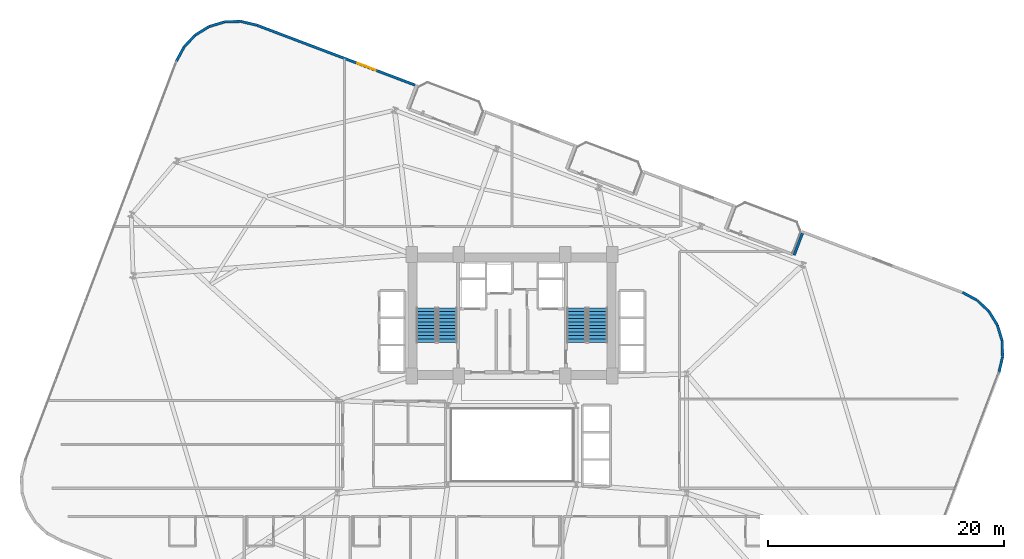
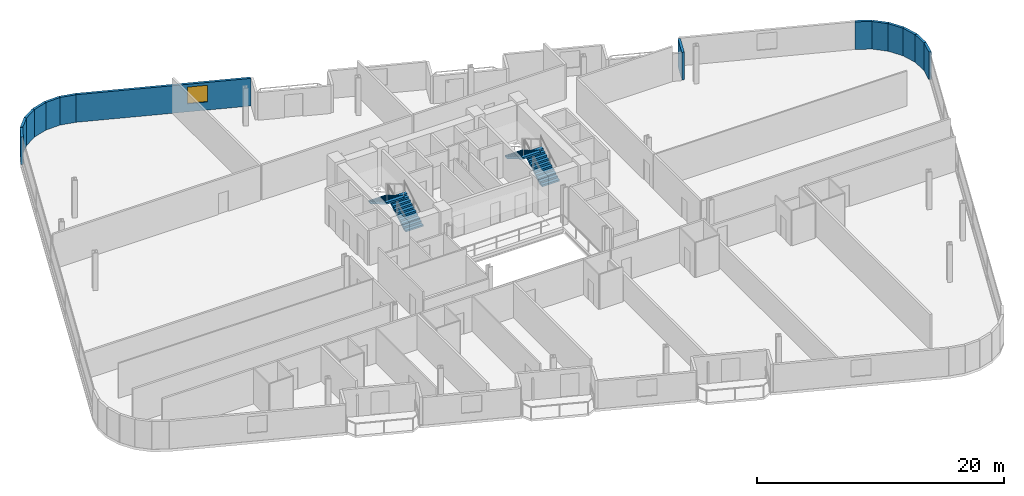
# One storey, part 21 of 25: 14 walls, 4 stair flights, 1 window, 1 opening, 2 elements without a shape of their own.
"""IFC4 building model written with IfcOpenShell, lengths in metres."""

import ifcopenshell
import ifcopenshell.guid

model = None  # the IFC model being written
_history = None  # IfcOwnerHistory: only IFC2X3 demands one
_inside = {}  # id of a spatial element -> (the spatial element, [elements in it])
_under = {}  # id of a project, library or spatial element -> (it, [spatial elements below it])
_declared = {}  # id of a project -> (the project, [libraries it declares])
_typed = {}  # id of a type object -> (the type object, [elements of that type])
_made_of = {}  # id of a material, layer set ... -> (it, [elements and type objects made of it])


def new_model(schema):
    """Start an empty IFC model of exactly this schema.

    Asked for "IFC4X3", IfcOpenShell would pick the latest addendum, in which some entities
    have other attributes; the version numbers below select the first issue.
    IFC2X3 requires an IfcOwnerHistory on every rooted entity: one is made here for all.
    """
    global model, _history
    if schema == "IFC4X3":
        model = ifcopenshell.file(schema_version=(4, 3, 0, 0))
    else:
        model = ifcopenshell.file(schema=schema)
    _inside.clear()
    _under.clear()
    _declared.clear()
    _typed.clear()
    _made_of.clear()
    _history = None
    if model.schema == "IFC2X3":
        org = make("IfcOrganization", Name="unknown")
        user = make(
            "IfcPersonAndOrganization",
            ThePerson=make("IfcPerson", FamilyName="unknown"),
            TheOrganization=org,
        )
        app = make(
            "IfcApplication",
            ApplicationDeveloper=org,
            Version="unknown",
            ApplicationFullName="unknown",
            ApplicationIdentifier="unknown",
        )
        _history = make(
            "IfcOwnerHistory",
            OwningUser=user,
            OwningApplication=app,
            ChangeAction="ADDED",
            CreationDate=0,
        )
    return model


def make(cls, **values):
    """One entity of the class cls with the attributes given. An attribute that is None is left unset."""
    return model.create_entity(
        cls, **{name: value for name, value in values.items() if value is not None}
    )


def rooted(cls, **values):
    """An entity with a GlobalId (a new one), such as an element, a storey or a relation."""
    return make(cls, GlobalId=ifcopenshell.guid.new(), OwnerHistory=_history, **values)


def si_unit(unit_type, name, prefix=None):
    """IfcSIUnit, for example si_unit("LENGTHUNIT", "METRE", prefix="MILLI")."""
    return make("IfcSIUnit", UnitType=unit_type, Prefix=prefix, Name=name)


def assignment(units):
    """IfcUnitAssignment: the units of a project."""
    return None if units is None else make("IfcUnitAssignment", Units=units)


def point(xyz):
    """IfcCartesianPoint."""
    return None if xyz is None else make("IfcCartesianPoint", Coordinates=xyz)


def direction(xyz):
    """IfcDirection."""
    return None if xyz is None else make("IfcDirection", DirectionRatios=xyz)


def frame(location, z_axis=None, x_axis=None):
    """IfcAxis2Placement3D, a coordinate frame: its origin and axes. An axis left out is left unset."""
    return make(
        "IfcAxis2Placement3D",
        Location=point(location),
        Axis=direction(z_axis),
        RefDirection=direction(x_axis),
    )


def frame_2d(location, x_axis=None):
    """IfcAxis2Placement2D, a coordinate frame in the plane: its origin and x axis."""
    return make(
        "IfcAxis2Placement2D", Location=point(location), RefDirection=direction(x_axis)
    )


def origin():
    """The frame at (0, 0, 0) with its axes left unset."""
    return frame((0.0, 0.0, 0.0))


def place(relative_to, where):
    """IfcLocalPlacement: puts the frame where relative to a parent placement (None: the world)."""
    return make(
        "IfcLocalPlacement", PlacementRelTo=relative_to, RelativePlacement=where
    )


def context(
    kind, dimensions, precision=None, world=None, true_north=None, identifier=None
):
    """IfcGeometricRepresentationContext, for example the 3D "Model" context."""
    return make(
        "IfcGeometricRepresentationContext",
        ContextIdentifier=identifier,
        ContextType=kind,
        CoordinateSpaceDimension=dimensions,
        Precision=precision,
        WorldCoordinateSystem=world,
        TrueNorth=true_north,
    )


def subcontext(parent, identifier, kind, view, scale=None):
    """IfcGeometricRepresentationSubContext, for example "Body" below "Model"."""
    return make(
        "IfcGeometricRepresentationSubContext",
        ContextIdentifier=identifier,
        ContextType=kind,
        ParentContext=parent,
        TargetScale=scale,
        TargetView=view,
    )


def project(units=None, contexts=None):
    """IfcProject with its units and contexts."""
    return rooted(
        "IfcProject",
        Name="project",
        RepresentationContexts=contexts,
        UnitsInContext=assignment(units),
    )


def spatial(cls, under=None, at=None, **own):
    """A site, building, storey or space (cls), placed at a placement, below another one or the project."""
    s = rooted(cls, ObjectPlacement=at, **own)
    if under is not None:
        _under.setdefault(under.id(), (under, []))[1].append(s)
    return s


def polyline(points):
    """IfcPolyline through the points."""
    return make("IfcPolyline", Points=[point(p) for p in points])


def profile(cls, at=None, kind="AREA", **sizes):
    """A parametric profile (cls). Its sizes go by their IFC names, for example OverallWidth=200.0."""
    return make(cls, ProfileType=kind, Position=at, **sizes)


def rectangle(**sizes):
    """IfcRectangleProfileDef."""
    return profile("IfcRectangleProfileDef", **sizes)


def outline(outer, holes=None, kind="AREA"):
    """IfcArbitraryClosedProfileDef: a profile drawn as a closed curve; with holes, ...WithVoids."""
    if holes is None:
        return make("IfcArbitraryClosedProfileDef", ProfileType=kind, OuterCurve=outer)
    return make(
        "IfcArbitraryProfileDefWithVoids",
        ProfileType=kind,
        OuterCurve=outer,
        InnerCurves=holes,
    )


def extrude(swept, where, along, depth):
    """IfcExtrudedAreaSolid: the profile swept, set in the frame where, extruded along a direction by depth."""
    return make(
        "IfcExtrudedAreaSolid",
        SweptArea=swept,
        Position=where,
        ExtrudedDirection=direction(along),
        Depth=depth,
    )


def shape(context_of_items, identifier, shape_type, items):
    """IfcShapeRepresentation: the items that make up one representation, for example the "Body"."""
    return make(
        "IfcShapeRepresentation",
        ContextOfItems=context_of_items,
        RepresentationIdentifier=identifier,
        RepresentationType=shape_type,
        Items=items,
    )


def material(Name=None, Category=None):
    """IfcMaterial."""
    return make("IfcMaterial", Name=Name, Category=Category)


def layer(
    of_material, thickness, ventilated=None, Name=None, Category=None, Priority=None
):
    """IfcMaterialLayer: one layer of a wall or slab, of a material (None: an air gap)."""
    return make(
        "IfcMaterialLayer",
        Material=of_material,
        LayerThickness=thickness,
        IsVentilated=ventilated,
        Name=Name,
        Category=Category,
        Priority=Priority,
    )


def layer_set(layers, Name=None):
    """IfcMaterialLayerSet."""
    return make("IfcMaterialLayerSet", MaterialLayers=layers, LayerSetName=Name)


def made_of(thing, what):
    """Note that an element or type object is made of a material, layer set ...; save() writes the relation."""
    if what is not None:
        _made_of.setdefault(what.id(), (what, []))[1].append(thing)
    return thing


def type_object(cls, material=None, **own):
    """A type object (cls), such as IfcWallType, which elements share."""
    return made_of(rooted(cls, **own), material)


def element(
    cls,
    number,
    at=None,
    inside=None,
    cuts=None,
    type_object=None,
    material=None,
    context=None,
    identifier="Body",
    shape_type=None,
    held_by="IfcProductDefinitionShape",
    body=None,
    shapes=None,
    **own,
):
    """One element of the class cls, such as IfcWall. Its Tag is "e" and its number.

    at: its placement. inside: the storey or other place that contains it. cuts: it is an
    opening in that element (IfcRelVoidsElement). A single representation is given by context,
    identifier, shape_type and body (its items); several are given by shapes. held_by: the class
    of the entity that holds the representations. save() writes the other relations.
    """
    e = rooted(cls, Tag="e%d" % number, ObjectPlacement=at, **own)
    if body is not None:
        shapes = [shape(context, identifier, shape_type, body)]
    if shapes is not None:
        e.Representation = make(held_by, Representations=shapes)
    if inside is not None:
        _inside.setdefault(inside.id(), (inside, []))[1].append(e)
    if cuts is not None:
        rooted(
            "IfcRelVoidsElement", RelatingBuildingElement=cuts, RelatedOpeningElement=e
        )
    if type_object is not None:
        _typed.setdefault(type_object.id(), (type_object, []))[1].append(e)
    return made_of(e, material)


def fill(opening, filler):
    """IfcRelFillsElement: the door or window that sits in an opening."""
    return rooted(
        "IfcRelFillsElement",
        RelatingOpeningElement=opening,
        RelatedBuildingElement=filler,
    )


def aggregate(whole, parts):
    """IfcRelAggregates: a whole, such as a stair, and the parts it consists of."""
    return rooted("IfcRelAggregates", RelatingObject=whole, RelatedObjects=parts)


def save(model, path):
    """Write the relations noted so far, then the file.

    IfcRelAggregates (storeys below a building ...), IfcRelContainedInSpatialStructure (elements
    in a storey), IfcRelDefinesByType, IfcRelAssociatesMaterial and IfcRelDeclares: one each for
    every whole, place, type object, material and project.
    """
    for whole, parts in _under.values():
        aggregate(whole, parts)
    for where, things in _inside.values():
        rooted(
            "IfcRelContainedInSpatialStructure",
            RelatedElements=things,
            RelatingStructure=where,
        )
    for kind, things in _typed.values():
        rooted("IfcRelDefinesByType", RelatedObjects=things, RelatingType=kind)
    for what, things in _made_of.values():
        rooted("IfcRelAssociatesMaterial", RelatedObjects=things, RelatingMaterial=what)
    for by, libraries in _declared.values():
        rooted("IfcRelDeclares", RelatingContext=by, RelatedDefinitions=libraries)
    model.write(path)


model = new_model("IFC4")

# Units and contexts
model_context = context("Model", 3, precision=1e-05, world=origin(), true_north=direction((0.0, 1.0)))
body_context = subcontext(model_context, "Body", "Model", "MODEL_VIEW")
ifc_project = project(units=[si_unit("LENGTHUNIT", "METRE"), si_unit("AREAUNIT", "SQUARE_METRE"), si_unit("VOLUMEUNIT", "CUBIC_METRE"), si_unit("PLANEANGLEUNIT", "RADIAN"), si_unit("MASSUNIT", "GRAM", prefix="KILO")], contexts=[model_context])

# Site, building, storey
site_placement = place(None, origin())
site = spatial("IfcSite", under=ifc_project, at=site_placement, CompositionType="ELEMENT")
building_placement = place(site_placement, origin())
building = spatial("IfcBuilding", under=site, at=building_placement, Name="Varnelok Gate Tower", CompositionType="ELEMENT")
storey_placement = place(building_placement, frame((0.0, 0.0, 79.89990234375)))
storey = spatial("IfcBuildingStorey", under=building, at=storey_placement, Name="L19", CompositionType="ELEMENT", Elevation=79.89990234375)

# Walls
ifc_material_1 = material(Name="Concrete C45/55", Category="concrete")
ifc_layer = layer(ifc_material_1, 0.219970703125)
ifc_layer_set = layer_set([ifc_layer], Name="Concrete C45/55")
wall_type = type_object("IfcWallType", Name="EW-BALC-220", PredefinedType="SOLIDWALL", material=ifc_layer_set)
wall_1_placement = place(storey_placement, frame((80.47265625, 29.0283203125, 0.0), z_axis=(0.0, 0.0, 1.0), x_axis=(0.228881345311, 0.973454328548, 0.0)))
element("IfcWall", 1, at=wall_1_placement, inside=storey, type_object=wall_type, Name="L19 Perimeter Facade Closure Wall 23", PredefinedType="SOLIDWALL", context=body_context, shape_type="SweptSolid", body=[
    extrude(rectangle(XDim=1.378173828125, YDim=0.219970703125, at=frame_2d((0.68896484375, 0.0))), origin(), (0.0, 0.0, 1.0), 2.72998046875),
])
for number, where, z_axis, x_axis, name in (
    (2, (80.787353515625, 30.39501953125, 0.0), (0.0, 0.0, 1.0), (-0.030857297317, 0.999523800218, 0.0), "L19 Perimeter Facade Closure Wall 24"),
    (3, (80.738525390625, 31.771240234375, 0.0), (0.0, 0.0, 1.0), (-0.28832436625, 0.957532798303, 0.0), "L19 Perimeter Facade Closure Wall 25"),
    (4, (80.335205078125, 33.088134765625, 0.0), (0.0, 0.0, 1.0), (-0.526491260456, 0.850180541217, 0.0), "L19 Perimeter Facade Closure Wall 26"),
    (5, (79.6044921875, 34.255615234375, 0.0), (0.0, 0.0, 1.0), (-0.72842773461, 0.685122642634, 0.0), "L19 Perimeter Facade Closure Wall 27"),
):
    element("IfcWall", number, at=place(storey_placement, frame(where, z_axis=z_axis, x_axis=x_axis)), inside=storey, type_object=wall_type, Name=name, PredefinedType="SOLIDWALL", context=body_context, shape_type="SweptSolid", body=[
        extrude(rectangle(XDim=1.35302734375, YDim=0.219970703125, at=frame_2d((0.676513671875, 0.0))), origin(), (0.0, 0.0, 1.0), 2.72998046875),
    ])
wall_2_placement = place(storey_placement, frame((78.5966796875, 35.1943359375, 0.0), z_axis=(0.0, 0.0, 1.0), x_axis=(-0.880948732004, 0.473211719614, 0.0)))
element("IfcWall", 6, at=wall_2_placement, inside=storey, type_object=wall_type, Name="L19 Perimeter Facade Closure Wall 28", PredefinedType="SOLIDWALL", context=body_context, shape_type="SweptSolid", body=[
    extrude(rectangle(XDim=1.361083984375, YDim=0.219970703125, at=frame_2d((0.6806640625, 0.0))), origin(), (0.0, 0.0, 1.0), 2.72998046875),
])
wall_3_placement = place(storey_placement, frame((63.81884765625, 40.845458984375, 0.0), z_axis=(0.0, 0.0, 1.0), x_axis=(-0.354128791944, -0.935196663123, 0.0)))
element("IfcWall", 7, at=wall_3_placement, inside=storey, type_object=wall_type, Name="L19 Perimeter Facade Closure Wall 30", PredefinedType="SOLIDWALL", context=body_context, shape_type="SweptSolid", body=[
    extrude(rectangle(XDim=1.97509765625, YDim=0.219970703125, at=frame_2d((0.987548828125, 0.0))), origin(), (0.0, 0.0, 1.0), 2.72998046875),
])

# Wall, opening, window
wall_4_placement = place(storey_placement, frame((30.97607421875, 53.412841796875, 0.0), z_axis=(0.0, 0.0, 1.0), x_axis=(-0.935220327379, 0.354066292178, 0.0)))
wall_4 = element("IfcWall", 8, at=wall_4_placement, inside=storey, type_object=wall_type, Name="L19 Perimeter Facade Closure Wall 38", PredefinedType="SOLIDWALL", context=body_context, shape_type="SweptSolid", body=[
    extrude(rectangle(XDim=14.34716796875, YDim=0.219970703125, at=frame_2d((7.173583984375, 0.0))), origin(), (0.0, 0.0, 1.0), 2.72998046875),
])
opening_placement = place(wall_4_placement, frame((3.55517578125, 0.0, 0.800048828125)))
opening = element("IfcOpeningElement", 9, at=opening_placement, cuts=wall_4, Name="Opening WN3", PredefinedType="OPENING", context=body_context, shape_type="SweptSolid", body=[
    extrude(rectangle(XDim=1.64990234375, YDim=1.64990234375, at=frame_2d((0.824951171875, 0.824951171875))), frame((0.0, 0.119873046875, 0.0), z_axis=(0.0, -1.0, 0.0), x_axis=(1.0, 0.0, 0.0)), (0.0, 0.0, 1.0), 0.239990234375),
])
ifc_material_2 = material(Name="Low-E Laminated Double Glazing IGU", Category="glass")
window_type = type_object("IfcWindowType", Name="WN-HTL-1650", PartitioningType="SINGLE_PANEL", PredefinedType="WINDOW", material=ifc_material_2)
window_placement = place(opening_placement, origin())
window = element("IfcWindow", 10, at=window_placement, inside=storey, type_object=window_type, Name="L19 Perimeter Vision Window 38", OverallHeight=1.64990234375, OverallWidth=1.64990234375, PartitioningType="SINGLE_PANEL", PredefinedType="WINDOW", context=body_context, shape_type="SweptSolid", body=[
    extrude(rectangle(XDim=1.64990234375, YDim=1.64990234375, at=frame_2d((0.824951171875, 0.824951171875))), frame((0.0, 0.030029296875, 0.0), z_axis=(0.0, -1.0, 0.0), x_axis=(1.0, 0.0, 0.0)), (0.0, 0.0, 1.0), 0.06005859375),
])
fill(opening, window)

# Walls
wall_5_placement = place(storey_placement, frame((17.533935546875, 58.498291015625, 0.0), z_axis=(0.0, 0.0, 1.0), x_axis=(-0.973414815952, 0.229049331117, 0.0)))
element("IfcWall", 11, at=wall_5_placement, inside=storey, type_object=wall_type, Name="L19 Perimeter Facade Closure Wall 39", PredefinedType="SOLIDWALL", context=body_context, shape_type="SweptSolid", body=[
    extrude(rectangle(XDim=1.361083984375, YDim=0.219970703125, at=frame_2d((0.6806640625, 0.0))), origin(), (0.0, 0.0, 1.0), 2.72998046875),
])
wall_6_placement = place(storey_placement, frame((16.18408203125, 58.809326171875, 0.0), z_axis=(0.0, 0.0, 1.0), x_axis=(-0.999523971993, -0.03085173271, 0.0)))
element("IfcWall", 12, at=wall_6_placement, inside=storey, type_object=wall_type, Name="L19 Perimeter Facade Closure Wall 40", PredefinedType="SOLIDWALL", context=body_context, shape_type="SweptSolid", body=[
    extrude(rectangle(XDim=1.353271484375, YDim=0.219970703125, at=frame_2d((0.6767578125, 0.0))), origin(), (0.0, 0.0, 1.0), 2.72998046875),
])
for number, where, z_axis, x_axis, name in (
    (13, (14.8076171875, 58.76025390625, 0.0), (0.0, 0.0, 1.0), (-0.957532798303, -0.28832436625, 0.0), "L19 Perimeter Facade Closure Wall 41"),
    (14, (13.49072265625, 58.35693359375, 0.0), (0.0, 0.0, 1.0), (-0.850261301096, -0.526360826676, 0.0), "L19 Perimeter Facade Closure Wall 42"),
    (15, (12.3232421875, 57.62646484375, 0.0), (0.0, 0.0, 1.0), (-0.684936830459, -0.728602455583, 0.0), "L19 Perimeter Facade Closure Wall 43"),
    (16, (11.384521484375, 56.61865234375, 0.0), (0.0, 0.0, 1.0), (-0.473077364598, -0.881020889142, 0.0), "L19 Perimeter Facade Closure Wall 44"),
):
    element("IfcWall", number, at=place(storey_placement, frame(where, z_axis=z_axis, x_axis=x_axis)), inside=storey, type_object=wall_type, Name=name, PredefinedType="SOLIDWALL", context=body_context, shape_type="SweptSolid", body=[
        extrude(rectangle(XDim=1.35302734375, YDim=0.219970703125, at=frame_2d((0.676513671875, 0.0))), origin(), (0.0, 0.0, 1.0), 2.72998046875),
    ])

# Stair, stair flights
ifc_material_3 = material(Name="Concrete C50/60", Category="concrete")
stair_type = type_object("IfcStairType", Name="STR-CORE-1650", PredefinedType="HALF_TURN_STAIR", material=ifc_material_3)
stair_1_placement = place(storey_placement, origin())
stair_1 = element("IfcStair", 17, at=stair_1_placement, inside=storey, type_object=stair_type, Name="L19 Exit Stair ST-1", PredefinedType="HALF_TURN_STAIR")
stair_flight_type = type_object("IfcStairFlightType", Name="SFL-CORE-1650", PredefinedType="STRAIGHT", material=ifc_material_3)
stair_flight_1_placement = place(storey_placement, frame((33.72509765625, 31.60009765625, 0.0), z_axis=(0.0, 0.0, 1.0), x_axis=(0.0, 1.0, 0.0)))
stair_flight_1 = element("IfcStairFlight", 18, at=stair_flight_1_placement, type_object=stair_flight_type, Name="ST-1 flight 1", NumberOfRisers=11, NumberOfTreads=10, PredefinedType="STRAIGHT", RiserHeight=0.168181818, TreadLength=0.29, context=body_context, shape_type="SweptSolid", body=[
    extrude(outline(polyline([(0.0, 0.0), (0.0, 0.168212890625), (0.2900390625, 0.168212890625), (0.2900390625, 0.33642578125), (0.580078125, 0.33642578125), (0.580078125, 0.504638671875), (0.8701171875, 0.504638671875), (0.8701171875, 0.672607421875), (1.159912109375, 0.672607421875), (1.159912109375, 0.8408203125), (1.449951171875, 0.8408203125), (1.449951171875, 1.009033203125), (1.739990234375, 1.009033203125), (1.739990234375, 1.17724609375), (2.030029296875, 1.17724609375), (2.030029296875, 1.345458984375), (2.320068359375, 1.345458984375), (2.320068359375, 1.513671875), (2.610107421875, 1.513671875), (2.610107421875, 1.681884765625), (2.89990234375, 1.681884765625), (2.89990234375, 1.85009765625), (2.89990234375, 1.508544921875), (0.298828125, 0.0), (0.0, 0.0)])), frame((0.0, 0.824951171875, 0.0), z_axis=(0.0, -1.0, 0.0), x_axis=(1.0, 0.0, 0.0)), (0.0, 0.0, 1.0), 1.64990234375),
])
stair_flight_2_placement = place(storey_placement, frame((31.925048828125, 34.5, 1.85009765625), z_axis=(0.0, 0.0, 1.0), x_axis=(0.0, -1.0, 0.0)))
stair_flight_2 = element("IfcStairFlight", 19, at=stair_flight_2_placement, type_object=stair_flight_type, Name="ST-1 flight 2", NumberOfRisers=11, NumberOfTreads=10, PredefinedType="STRAIGHT", RiserHeight=0.168181818, TreadLength=0.29, context=body_context, shape_type="SweptSolid", body=[
    extrude(outline(polyline([(0.0, 0.0), (0.0, 0.168212890625), (0.2900390625, 0.168212890625), (0.2900390625, 0.33642578125), (0.580078125, 0.33642578125), (0.580078125, 0.504638671875), (0.8701171875, 0.504638671875), (0.8701171875, 0.672607421875), (1.159912109375, 0.672607421875), (1.159912109375, 0.8408203125), (1.449951171875, 0.8408203125), (1.449951171875, 1.009033203125), (1.739990234375, 1.009033203125), (1.739990234375, 1.17724609375), (2.030029296875, 1.17724609375), (2.030029296875, 1.345458984375), (2.320068359375, 1.345458984375), (2.320068359375, 1.513671875), (2.610107421875, 1.513671875), (2.610107421875, 1.681884765625), (2.89990234375, 1.681884765625), (2.89990234375, 1.85009765625), (2.89990234375, 1.508544921875), (0.298828125, 0.0), (0.0, 0.0)])), frame((0.0, 0.824951171875, 0.0), z_axis=(0.0, -1.0, 0.0), x_axis=(1.0, 0.0, 0.0)), (0.0, 0.0, 1.0), 1.64990234375),
])
aggregate(stair_1, [stair_flight_1, stair_flight_2])

stair_2_placement = place(storey_placement, origin())
stair_2 = element("IfcStair", 20, at=stair_2_placement, inside=storey, type_object=stair_type, Name="L19 Exit Stair ST-2", PredefinedType="HALF_TURN_STAIR")
stair_flight_3_placement = place(storey_placement, frame((46.47509765625, 31.60009765625, 0.0), z_axis=(0.0, 0.0, 1.0), x_axis=(0.0, 1.0, 0.0)))
stair_flight_3 = element("IfcStairFlight", 21, at=stair_flight_3_placement, type_object=stair_flight_type, Name="ST-2 flight 1", NumberOfRisers=11, NumberOfTreads=10, PredefinedType="STRAIGHT", RiserHeight=0.168181818, TreadLength=0.29, context=body_context, shape_type="SweptSolid", body=[
    extrude(outline(polyline([(0.0, 0.0), (0.0, 0.168212890625), (0.2900390625, 0.168212890625), (0.2900390625, 0.33642578125), (0.580078125, 0.33642578125), (0.580078125, 0.504638671875), (0.8701171875, 0.504638671875), (0.8701171875, 0.672607421875), (1.159912109375, 0.672607421875), (1.159912109375, 0.8408203125), (1.449951171875, 0.8408203125), (1.449951171875, 1.009033203125), (1.739990234375, 1.009033203125), (1.739990234375, 1.17724609375), (2.030029296875, 1.17724609375), (2.030029296875, 1.345458984375), (2.320068359375, 1.345458984375), (2.320068359375, 1.513671875), (2.610107421875, 1.513671875), (2.610107421875, 1.681884765625), (2.89990234375, 1.681884765625), (2.89990234375, 1.85009765625), (2.89990234375, 1.508544921875), (0.298828125, 0.0), (0.0, 0.0)])), frame((0.0, 0.824951171875, 0.0), z_axis=(0.0, -1.0, 0.0), x_axis=(1.0, 0.0, 0.0)), (0.0, 0.0, 1.0), 1.64990234375),
])
stair_flight_4_placement = place(storey_placement, frame((44.675048828125, 34.5, 1.85009765625), z_axis=(0.0, 0.0, 1.0), x_axis=(0.0, -1.0, 0.0)))
stair_flight_4 = element("IfcStairFlight", 22, at=stair_flight_4_placement, type_object=stair_flight_type, Name="ST-2 flight 2", NumberOfRisers=11, NumberOfTreads=10, PredefinedType="STRAIGHT", RiserHeight=0.168181818, TreadLength=0.29, context=body_context, shape_type="SweptSolid", body=[
    extrude(outline(polyline([(0.0, 0.0), (0.0, 0.168212890625), (0.2900390625, 0.168212890625), (0.2900390625, 0.33642578125), (0.580078125, 0.33642578125), (0.580078125, 0.504638671875), (0.8701171875, 0.504638671875), (0.8701171875, 0.672607421875), (1.159912109375, 0.672607421875), (1.159912109375, 0.8408203125), (1.449951171875, 0.8408203125), (1.449951171875, 1.009033203125), (1.739990234375, 1.009033203125), (1.739990234375, 1.17724609375), (2.030029296875, 1.17724609375), (2.030029296875, 1.345458984375), (2.320068359375, 1.345458984375), (2.320068359375, 1.513671875), (2.610107421875, 1.513671875), (2.610107421875, 1.681884765625), (2.89990234375, 1.681884765625), (2.89990234375, 1.85009765625), (2.89990234375, 1.508544921875), (0.298828125, 0.0), (0.0, 0.0)])), frame((0.0, 0.824951171875, 0.0), z_axis=(0.0, -1.0, 0.0), x_axis=(1.0, 0.0, 0.0)), (0.0, 0.0, 1.0), 1.64990234375),
])
aggregate(stair_2, [stair_flight_3, stair_flight_4])

save(model, "model.ifc")
